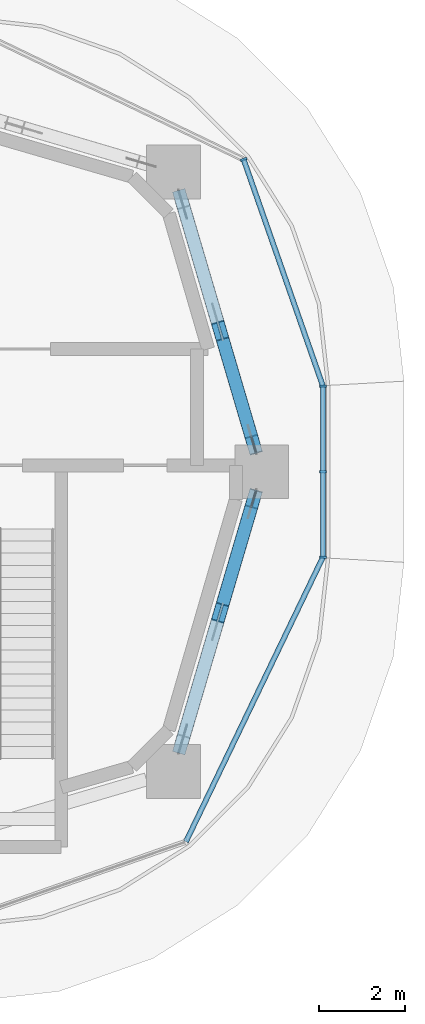
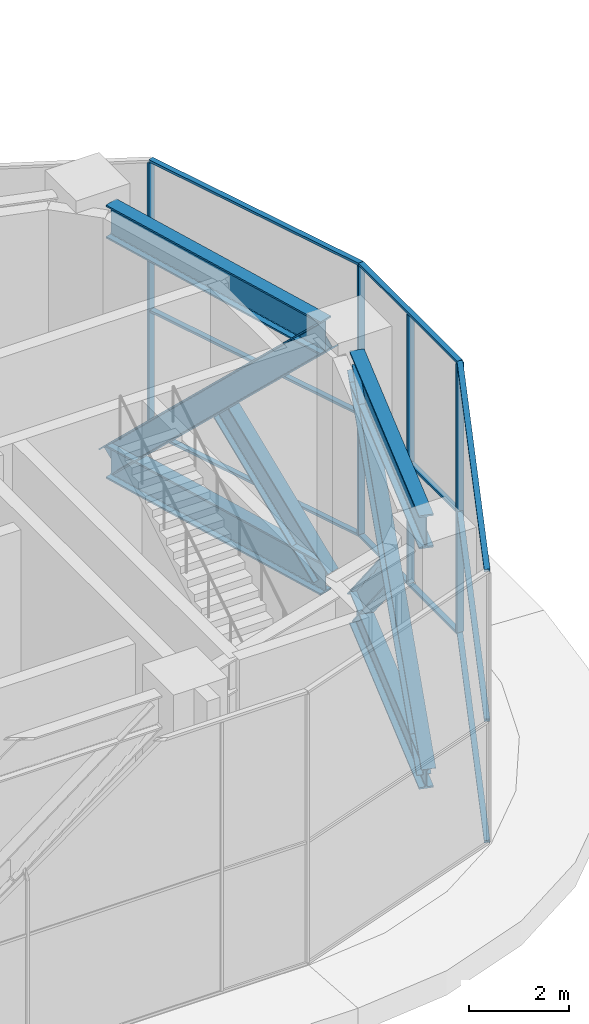
# One storey, part 12 of 35: 21 members, 3 elements without a shape of their own.
"""IFC4 building model written with IfcOpenShell, lengths in metres."""

from ifc_helpers import new_model, si_unit, direction, frame, origin, origin_2d, place, context, subcontext, project, spatial, rectangle, i_section, extrude, material, material_profile, profile_set, type_object, element, aggregate, save


model = new_model("IFC4")

# Units and contexts
model_context = context("Model", 3, precision=1e-05, world=origin(), true_north=direction((0.0, 1.0)))
body_context = subcontext(model_context, "Body", "Model", "MODEL_VIEW")
ifc_project = project(units=[si_unit("LENGTHUNIT", "METRE"), si_unit("AREAUNIT", "SQUARE_METRE"), si_unit("VOLUMEUNIT", "CUBIC_METRE"), si_unit("PLANEANGLEUNIT", "RADIAN"), si_unit("MASSUNIT", "GRAM", prefix="KILO")], contexts=[model_context])

# Site, building, storey
site_placement = place(None, origin())
site = spatial("IfcSite", under=ifc_project, at=site_placement, CompositionType="ELEMENT")
building_placement = place(site_placement, origin())
building = spatial("IfcBuilding", under=site, at=building_placement, Name="Ogive Portal Towers", CompositionType="ELEMENT")
storey_placement = place(building_placement, frame((0.0, 0.0, 135.199951171875)))
storey = spatial("IfcBuildingStorey", under=building, at=storey_placement, Name="L33", CompositionType="ELEMENT", Elevation=135.199951171875)

# Members
ifc_material_1 = material(Name="Steel S355", Category="steel")
ifc_material_profile_1 = material_profile(ifc_material_1, i_section(OverallWidth=0.300048828125, OverallDepth=0.60009765625, WebThickness=0.015380859375, FlangeThickness=0.030029296875, FilletRadius=0.027099609375, at=origin_2d()), Name="HEB 600")
ifc_profile_set_1 = profile_set([ifc_material_profile_1], Name="Steel S355")
member_type_1 = type_object("IfcMemberType", Name="BRACE HEB 600", PredefinedType="BRACE", material=ifc_profile_set_1)
member_1_placement = place(storey_placement, frame((92.634521484375, 24.175048828125, 0.406982421875), z_axis=(0.20099278034, 0.68146651795, 0.703708240085), x_axis=(-0.959151309441, 0.282893558779, 0.0)))
element("IfcMember", 1, at=member_1_placement, inside=storey, type_object=member_type_1, Name="Belt truss diagonal", PredefinedType="BRACE", context=body_context, shape_type="SweptSolid", body=[
    extrude(i_section(OverallWidth=0.300048828125, OverallDepth=0.60009765625, WebThickness=0.015380859375, FlangeThickness=0.030029296875, FilletRadius=0.027099609375, at=origin_2d()), origin(), (0.0, 0.0, 1.0), 8.3642578125),
])
member_2_placement = place(storey_placement, frame((93.535400390625, 27.2294921875, 3.138916015625), z_axis=(0.200990623129, 0.681456317967, -0.70371873367), x_axis=(-0.959150984364, 0.282894660948, 0.0)))
element("IfcMember", 2, at=member_2_placement, inside=storey, type_object=member_type_1, Name="Belt truss diagonal", PredefinedType="BRACE", context=body_context, shape_type="SweptSolid", body=[
    extrude(i_section(OverallWidth=0.300048828125, OverallDepth=0.60009765625, WebThickness=0.015380859375, FlangeThickness=0.030029296875, FilletRadius=0.027099609375, at=origin_2d()), origin(), (0.0, 0.0, 1.0), 3.882080078125),
])
member_3_placement = place(storey_placement, frame((94.315673828125, 31.125, 6.29296875), z_axis=(-0.20099278034, 0.68146651795, -0.703708240085), x_axis=(-0.959151309441, -0.282893558779, 0.0)))
element("IfcMember", 3, at=member_3_placement, inside=storey, type_object=member_type_1, Name="Belt truss diagonal", PredefinedType="BRACE", context=body_context, shape_type="SweptSolid", body=[
    extrude(i_section(OverallWidth=0.300048828125, OverallDepth=0.60009765625, WebThickness=0.015380859375, FlangeThickness=0.030029296875, FilletRadius=0.027099609375, at=origin_2d()), origin(), (0.0, 0.0, 1.0), 8.3642578125),
])
member_4_placement = place(storey_placement, frame((94.315673828125, 31.125, 0.406982421875), z_axis=(-0.200990623129, 0.681456317967, 0.70371873367), x_axis=(-0.959150984364, -0.282894660948, 0.0)))
element("IfcMember", 4, at=member_4_placement, inside=storey, type_object=member_type_1, Name="Belt truss diagonal", PredefinedType="BRACE", context=body_context, shape_type="SweptSolid", body=[
    extrude(i_section(OverallWidth=0.300048828125, OverallDepth=0.60009765625, WebThickness=0.015380859375, FlangeThickness=0.030029296875, FilletRadius=0.027099609375, at=origin_2d()), origin(), (0.0, 0.0, 1.0), 3.882080078125),
])
ifc_material_profile_2 = material_profile(ifc_material_1, i_section(OverallWidth=0.302978515625, OverallDepth=0.81396484375, WebThickness=0.02099609375, FlangeThickness=0.0400390625, FilletRadius=0.030029296875, at=origin_2d()), Name="HEM 800")
ifc_profile_set_2 = profile_set([ifc_material_profile_2], Name="Steel S355")
member_type_2 = type_object("IfcMemberType", Name="CHORD HEM 800", PredefinedType="CHORD", material=ifc_profile_set_2)
for number, where, z_axis, x_axis, name in (
    (5, (92.634521484375, 24.175048828125, 0.406982421875), (0.282893558779, 0.959151309441, 0.0), (-0.959151309441, 0.282893558779, 0.0), "Belt truss bottom chord"),
    (6, (92.634521484375, 24.175048828125, 6.29296875), (0.282893558779, 0.959151309441, 0.0), (-0.959151309441, 0.282893558779, 0.0), "Belt truss top chord"),
    (7, (94.315673828125, 31.125, 0.406982421875), (-0.282893558779, 0.959151309441, 0.0), (-0.959151309441, -0.282893558779, 0.0), "Belt truss bottom chord"),
    (8, (94.315673828125, 31.125, 6.29296875), (-0.282893558779, 0.959151309441, 0.0), (-0.959151309441, -0.282893558779, 0.0), "Belt truss top chord"),
):
    element("IfcMember", number, at=place(storey_placement, frame(where, z_axis=z_axis, x_axis=x_axis)), inside=storey, type_object=member_type_2, Name=name, PredefinedType="CHORD", context=body_context, shape_type="SweptSolid", body=[
        extrude(i_section(OverallWidth=0.302978515625, OverallDepth=0.81396484375, WebThickness=0.02099609375, FlangeThickness=0.0400390625, FilletRadius=0.030029296875, at=origin_2d()), origin(), (0.0, 0.0, 1.0), 5.942626953125),
    ])

# Curtain wall, members
ifc_material_2 = material(Name="Glass, clear low-iron insulated glazing", Category="glass")
curtain_wall_type = type_object("IfcCurtainWallType", Name="CW OBSERVATION WALL", PredefinedType="NOTDEFINED", material=ifc_material_2)
curtain_wall_1_placement = place(storey_placement, origin())
curtain_wall_1 = element("IfcCurtainWall", 9, at=curtain_wall_1_placement, inside=storey, type_object=curtain_wall_type, Name="A:L33:f09:cw0", PredefinedType="NOTDEFINED")
ifc_material_3 = material(Name="Aluminium 6063 anodised", Category="aluminium")
ifc_material_profile_3 = material_profile(ifc_material_3, rectangle(XDim=0.159912109375, YDim=0.06005859375, at=origin_2d()), Name="AL 60x160")
ifc_profile_set_3 = profile_set([ifc_material_profile_3], Name="Aluminium 6063 anodised")
member_type_3 = type_object("IfcMemberType", Name="CW MULLION 60x160", PredefinedType="MULLION", material=ifc_profile_set_3)
member_5_placement = place(storey_placement, frame((95.919921875, 28.518310546875, 0.06005859375), z_axis=(0.0, 0.0, 1.0), x_axis=(-1.0, 0.0, 0.0)))
member_5 = element("IfcMember", 10, at=member_5_placement, type_object=member_type_3, Name="mullion", PredefinedType="MULLION", context=body_context, shape_type="SweptSolid", body=[
    extrude(rectangle(XDim=0.159912109375, YDim=0.06005859375, at=origin_2d()), origin(), (0.0, 0.0, 1.0), 6.580078125),
])
member_6_placement = place(storey_placement, frame((95.919921875, 30.5, 0.06005859375), z_axis=(0.0, 0.0, 1.0), x_axis=(-1.0, 0.0, 0.0)))
member_6 = element("IfcMember", 11, at=member_6_placement, type_object=member_type_3, Name="mullion", PredefinedType="MULLION", context=body_context, shape_type="SweptSolid", body=[
    extrude(rectangle(XDim=0.159912109375, YDim=0.06005859375, at=origin_2d()), origin(), (0.0, 0.0, 1.0), 6.580078125),
])
member_7_placement = place(storey_placement, frame((95.919921875, 32.486328125, 0.06005859375), z_axis=(0.0, 0.0, 1.0), x_axis=(-1.0, 0.0, 0.0)))
member_7 = element("IfcMember", 12, at=member_7_placement, type_object=member_type_3, Name="mullion", PredefinedType="MULLION", context=body_context, shape_type="SweptSolid", body=[
    extrude(rectangle(XDim=0.159912109375, YDim=0.06005859375, at=origin_2d()), origin(), (0.0, 0.0, 1.0), 6.580078125),
])

# Curtain wall, member
curtain_wall_2_placement = place(storey_placement, origin())
curtain_wall_2 = element("IfcCurtainWall", 13, at=curtain_wall_2_placement, inside=storey, type_object=curtain_wall_type, Name="A:L33:f10:cwa", PredefinedType="NOTDEFINED")
member_8_placement = place(storey_placement, frame((94.0810546875, 37.741943359375, 0.06005859375), z_axis=(0.0, 0.0, 1.0), x_axis=(-0.943883330307, -0.33027906196, 0.0)))
member_8 = element("IfcMember", 14, at=member_8_placement, type_object=member_type_3, Name="mullion", PredefinedType="MULLION", context=body_context, shape_type="SweptSolid", body=[
    extrude(rectangle(XDim=0.159912109375, YDim=0.06005859375, at=origin_2d()), origin(), (0.0, 0.0, 1.0), 6.580078125),
])

# Member
ifc_material_profile_4 = material_profile(ifc_material_3, rectangle(XDim=0.1201171875, YDim=0.06005859375, at=origin_2d()), Name="AL 120x60")
ifc_profile_set_4 = profile_set([ifc_material_profile_4], Name="Aluminium 6063 anodised")
member_type_4 = type_object("IfcMemberType", Name="CW TRANSOM 60x120", PredefinedType="USERDEFINED", material=ifc_profile_set_4)
member_9_placement = place(storey_placement, frame((95.919921875, 28.518310546875, 0.030029296875), z_axis=(0.0, 1.0, 0.0), x_axis=(-1.0, 0.0, 0.0)))
member_9 = element("IfcMember", 15, at=member_9_placement, type_object=member_type_4, Name="transom", ObjectType="TRANSOM", PredefinedType="USERDEFINED", context=body_context, shape_type="SweptSolid", body=[
    extrude(rectangle(XDim=0.1201171875, YDim=0.06005859375, at=origin_2d()), origin(), (0.0, 0.0, 1.0), 3.968017578125),
])

member_10_placement = place(storey_placement, frame((95.919921875, 28.518310546875, 3.0), z_axis=(0.0, 1.0, 0.0), x_axis=(-1.0, 0.0, 0.0)))
member_10 = element("IfcMember", 16, at=member_10_placement, type_object=member_type_4, Name="transom", ObjectType="TRANSOM", PredefinedType="USERDEFINED", context=body_context, shape_type="SweptSolid", body=[
    extrude(rectangle(XDim=0.1201171875, YDim=0.06005859375, at=origin_2d()), origin(), (0.0, 0.0, 1.0), 3.968017578125),
])

member_11_placement = place(storey_placement, frame((95.919921875, 28.518310546875, 6.670166015625), z_axis=(0.0, 1.0, 0.0), x_axis=(-1.0, 0.0, 0.0)))
member_11 = element("IfcMember", 17, at=member_11_placement, type_object=member_type_4, Name="transom", ObjectType="TRANSOM", PredefinedType="USERDEFINED", context=body_context, shape_type="SweptSolid", body=[
    extrude(rectangle(XDim=0.1201171875, YDim=0.06005859375, at=origin_2d()), origin(), (0.0, 0.0, 1.0), 3.968017578125),
])

aggregate(curtain_wall_1, [member_9, member_10, member_11, member_5, member_6, member_7])

# Curtain wall, members
curtain_wall_3_placement = place(storey_placement, origin())
curtain_wall_3 = element("IfcCurtainWall", 18, at=curtain_wall_3_placement, inside=storey, type_object=curtain_wall_type, Name="A:L33:f07:cwa", PredefinedType="NOTDEFINED")
member_12_placement = place(storey_placement, frame((92.741943359375, 21.9189453125, 0.030029296875), z_axis=(0.433871738997, 0.900974646757, 0.0), x_axis=(-0.900974646757, 0.433871738997, 0.0)))
member_12 = element("IfcMember", 19, at=member_12_placement, type_object=member_type_4, Name="transom", ObjectType="TRANSOM", PredefinedType="USERDEFINED", context=body_context, shape_type="SweptSolid", body=[
    extrude(rectangle(XDim=0.1201171875, YDim=0.06005859375, at=origin_2d()), origin(), (0.0, 0.0, 1.0), 7.32470703125),
])
member_13_placement = place(storey_placement, frame((92.741943359375, 21.9189453125, 3.0), z_axis=(0.433871738997, 0.900974646757, 0.0), x_axis=(-0.900974646757, 0.433871738997, 0.0)))
member_13 = element("IfcMember", 20, at=member_13_placement, type_object=member_type_4, Name="transom", ObjectType="TRANSOM", PredefinedType="USERDEFINED", context=body_context, shape_type="SweptSolid", body=[
    extrude(rectangle(XDim=0.1201171875, YDim=0.06005859375, at=origin_2d()), origin(), (0.0, 0.0, 1.0), 7.32470703125),
])
member_14_placement = place(storey_placement, frame((92.741943359375, 21.9189453125, 6.670166015625), z_axis=(0.433871738997, 0.900974646757, 0.0), x_axis=(-0.900974646757, 0.433871738997, 0.0)))
member_14 = element("IfcMember", 21, at=member_14_placement, type_object=member_type_4, Name="transom", ObjectType="TRANSOM", PredefinedType="USERDEFINED", context=body_context, shape_type="SweptSolid", body=[
    extrude(rectangle(XDim=0.1201171875, YDim=0.06005859375, at=origin_2d()), origin(), (0.0, 0.0, 1.0), 7.32470703125),
])
aggregate(curtain_wall_3, [member_12, member_13, member_14])

# Member
member_15_placement = place(storey_placement, frame((95.919921875, 32.486328125, 0.030029296875), z_axis=(-0.330254721593, 0.943891847017, 0.0), x_axis=(-0.943891847017, -0.330254721593, 0.0)))
member_15 = element("IfcMember", 22, at=member_15_placement, type_object=member_type_4, Name="transom", ObjectType="TRANSOM", PredefinedType="USERDEFINED", context=body_context, shape_type="SweptSolid", body=[
    extrude(rectangle(XDim=0.1201171875, YDim=0.06005859375, at=origin_2d()), origin(), (0.0, 0.0, 1.0), 5.568115234375),
])

member_16_placement = place(storey_placement, frame((95.919921875, 32.486328125, 3.0), z_axis=(-0.330254721593, 0.943891847017, 0.0), x_axis=(-0.943891847017, -0.330254721593, 0.0)))
member_16 = element("IfcMember", 23, at=member_16_placement, type_object=member_type_4, Name="transom", ObjectType="TRANSOM", PredefinedType="USERDEFINED", context=body_context, shape_type="SweptSolid", body=[
    extrude(rectangle(XDim=0.1201171875, YDim=0.06005859375, at=origin_2d()), origin(), (0.0, 0.0, 1.0), 5.568115234375),
])

member_17_placement = place(storey_placement, frame((95.919921875, 32.486328125, 6.670166015625), z_axis=(-0.330254721593, 0.943891847017, 0.0), x_axis=(-0.943891847017, -0.330254721593, 0.0)))
member_17 = element("IfcMember", 24, at=member_17_placement, type_object=member_type_4, Name="transom", ObjectType="TRANSOM", PredefinedType="USERDEFINED", context=body_context, shape_type="SweptSolid", body=[
    extrude(rectangle(XDim=0.1201171875, YDim=0.06005859375, at=origin_2d()), origin(), (0.0, 0.0, 1.0), 5.568115234375),
])

aggregate(curtain_wall_2, [member_15, member_16, member_17, member_8])

save(model, "model.ifc")
